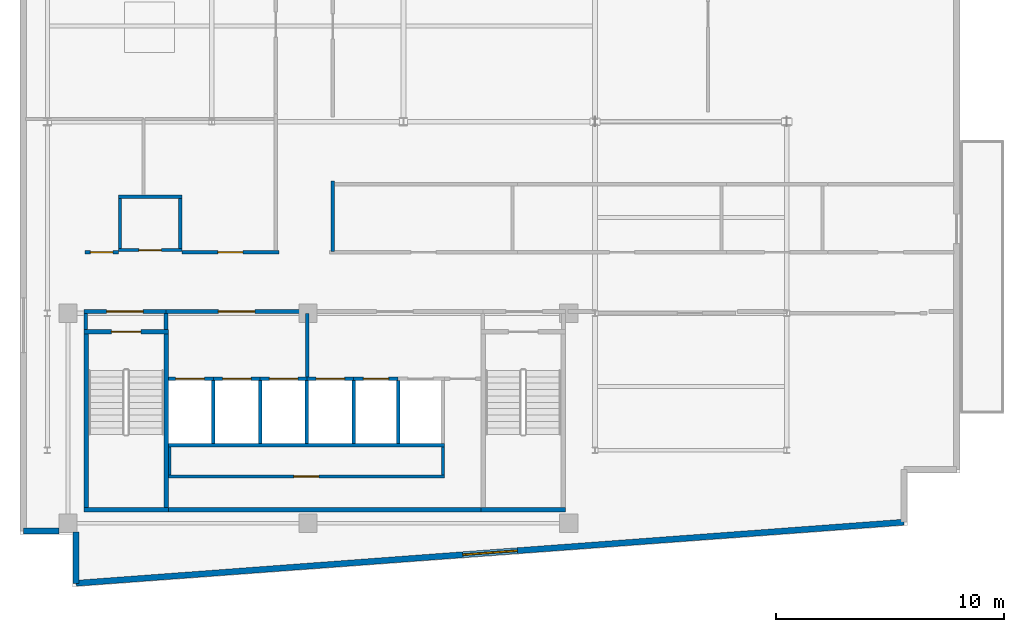
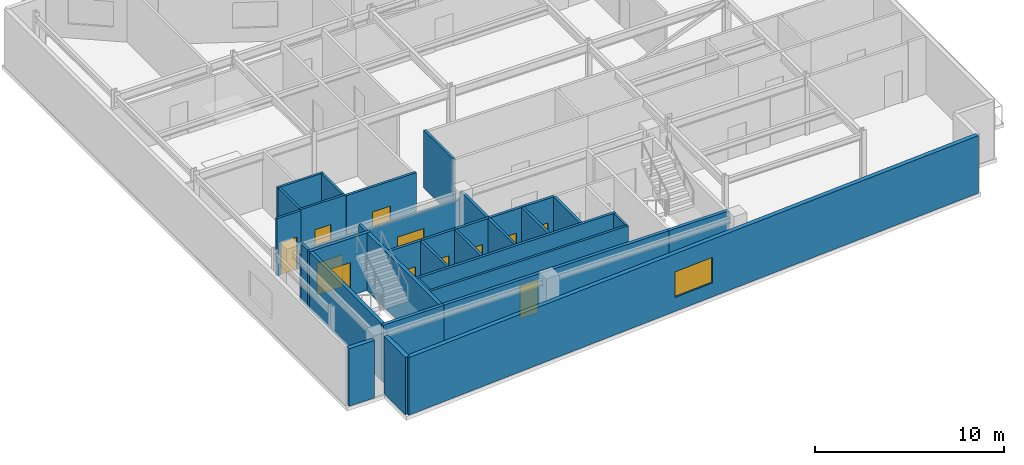
# One storey, part 11 of 16: 35 walls, 12 doors, 1 window, 13 openings.
"""IFC4 building model written with IfcOpenShell, lengths in metres."""

import ifcopenshell
import ifcopenshell.guid

model = None  # the IFC model being written
_history = None  # IfcOwnerHistory: only IFC2X3 demands one
_inside = {}  # id of a spatial element -> (the spatial element, [elements in it])
_under = {}  # id of a project, library or spatial element -> (it, [spatial elements below it])
_declared = {}  # id of a project -> (the project, [libraries it declares])
_typed = {}  # id of a type object -> (the type object, [elements of that type])
_made_of = {}  # id of a material, layer set ... -> (it, [elements and type objects made of it])


def new_model(schema):
    """Start an empty IFC model of exactly this schema.

    Asked for "IFC4X3", IfcOpenShell would pick the latest addendum, in which some entities
    have other attributes; the version numbers below select the first issue.
    IFC2X3 requires an IfcOwnerHistory on every rooted entity: one is made here for all.
    """
    global model, _history
    if schema == "IFC4X3":
        model = ifcopenshell.file(schema_version=(4, 3, 0, 0))
    else:
        model = ifcopenshell.file(schema=schema)
    _inside.clear()
    _under.clear()
    _declared.clear()
    _typed.clear()
    _made_of.clear()
    _history = None
    if model.schema == "IFC2X3":
        org = make("IfcOrganization", Name="unknown")
        user = make(
            "IfcPersonAndOrganization",
            ThePerson=make("IfcPerson", FamilyName="unknown"),
            TheOrganization=org,
        )
        app = make(
            "IfcApplication",
            ApplicationDeveloper=org,
            Version="unknown",
            ApplicationFullName="unknown",
            ApplicationIdentifier="unknown",
        )
        _history = make(
            "IfcOwnerHistory",
            OwningUser=user,
            OwningApplication=app,
            ChangeAction="ADDED",
            CreationDate=0,
        )
    return model


def make(cls, **values):
    """One entity of the class cls with the attributes given. An attribute that is None is left unset."""
    return model.create_entity(
        cls, **{name: value for name, value in values.items() if value is not None}
    )


def rooted(cls, **values):
    """An entity with a GlobalId (a new one), such as an element, a storey or a relation."""
    return make(cls, GlobalId=ifcopenshell.guid.new(), OwnerHistory=_history, **values)


def si_unit(unit_type, name, prefix=None):
    """IfcSIUnit, for example si_unit("LENGTHUNIT", "METRE", prefix="MILLI")."""
    return make("IfcSIUnit", UnitType=unit_type, Prefix=prefix, Name=name)


def assignment(units):
    """IfcUnitAssignment: the units of a project."""
    return None if units is None else make("IfcUnitAssignment", Units=units)


def point(xyz):
    """IfcCartesianPoint."""
    return None if xyz is None else make("IfcCartesianPoint", Coordinates=xyz)


def direction(xyz):
    """IfcDirection."""
    return None if xyz is None else make("IfcDirection", DirectionRatios=xyz)


def frame(location, z_axis=None, x_axis=None):
    """IfcAxis2Placement3D, a coordinate frame: its origin and axes. An axis left out is left unset."""
    return make(
        "IfcAxis2Placement3D",
        Location=point(location),
        Axis=direction(z_axis),
        RefDirection=direction(x_axis),
    )


def frame_2d(location, x_axis=None):
    """IfcAxis2Placement2D, a coordinate frame in the plane: its origin and x axis."""
    return make(
        "IfcAxis2Placement2D", Location=point(location), RefDirection=direction(x_axis)
    )


def origin():
    """The frame at (0, 0, 0) with its axes left unset."""
    return frame((0.0, 0.0, 0.0))


def place(relative_to, where):
    """IfcLocalPlacement: puts the frame where relative to a parent placement (None: the world)."""
    return make(
        "IfcLocalPlacement", PlacementRelTo=relative_to, RelativePlacement=where
    )


def context(
    kind, dimensions, precision=None, world=None, true_north=None, identifier=None
):
    """IfcGeometricRepresentationContext, for example the 3D "Model" context."""
    return make(
        "IfcGeometricRepresentationContext",
        ContextIdentifier=identifier,
        ContextType=kind,
        CoordinateSpaceDimension=dimensions,
        Precision=precision,
        WorldCoordinateSystem=world,
        TrueNorth=true_north,
    )


def subcontext(parent, identifier, kind, view, scale=None):
    """IfcGeometricRepresentationSubContext, for example "Body" below "Model"."""
    return make(
        "IfcGeometricRepresentationSubContext",
        ContextIdentifier=identifier,
        ContextType=kind,
        ParentContext=parent,
        TargetScale=scale,
        TargetView=view,
    )


def project(units=None, contexts=None):
    """IfcProject with its units and contexts."""
    return rooted(
        "IfcProject",
        Name="project",
        RepresentationContexts=contexts,
        UnitsInContext=assignment(units),
    )


def spatial(cls, under=None, at=None, **own):
    """A site, building, storey or space (cls), placed at a placement, below another one or the project."""
    s = rooted(cls, ObjectPlacement=at, **own)
    if under is not None:
        _under.setdefault(under.id(), (under, []))[1].append(s)
    return s


def profile(cls, at=None, kind="AREA", **sizes):
    """A parametric profile (cls). Its sizes go by their IFC names, for example OverallWidth=200.0."""
    return make(cls, ProfileType=kind, Position=at, **sizes)


def rectangle(**sizes):
    """IfcRectangleProfileDef."""
    return profile("IfcRectangleProfileDef", **sizes)


def extrude(swept, where, along, depth):
    """IfcExtrudedAreaSolid: the profile swept, set in the frame where, extruded along a direction by depth."""
    return make(
        "IfcExtrudedAreaSolid",
        SweptArea=swept,
        Position=where,
        ExtrudedDirection=direction(along),
        Depth=depth,
    )


def shape(context_of_items, identifier, shape_type, items):
    """IfcShapeRepresentation: the items that make up one representation, for example the "Body"."""
    return make(
        "IfcShapeRepresentation",
        ContextOfItems=context_of_items,
        RepresentationIdentifier=identifier,
        RepresentationType=shape_type,
        Items=items,
    )


def material(Name=None, Category=None):
    """IfcMaterial."""
    return make("IfcMaterial", Name=Name, Category=Category)


def layer(
    of_material, thickness, ventilated=None, Name=None, Category=None, Priority=None
):
    """IfcMaterialLayer: one layer of a wall or slab, of a material (None: an air gap)."""
    return make(
        "IfcMaterialLayer",
        Material=of_material,
        LayerThickness=thickness,
        IsVentilated=ventilated,
        Name=Name,
        Category=Category,
        Priority=Priority,
    )


def layer_set(layers, Name=None):
    """IfcMaterialLayerSet."""
    return make("IfcMaterialLayerSet", MaterialLayers=layers, LayerSetName=Name)


def made_of(thing, what):
    """Note that an element or type object is made of a material, layer set ...; save() writes the relation."""
    if what is not None:
        _made_of.setdefault(what.id(), (what, []))[1].append(thing)
    return thing


def type_object(cls, material=None, **own):
    """A type object (cls), such as IfcWallType, which elements share."""
    return made_of(rooted(cls, **own), material)


def element(
    cls,
    number,
    at=None,
    inside=None,
    cuts=None,
    type_object=None,
    material=None,
    context=None,
    identifier="Body",
    shape_type=None,
    held_by="IfcProductDefinitionShape",
    body=None,
    shapes=None,
    **own,
):
    """One element of the class cls, such as IfcWall. Its Tag is "e" and its number.

    at: its placement. inside: the storey or other place that contains it. cuts: it is an
    opening in that element (IfcRelVoidsElement). A single representation is given by context,
    identifier, shape_type and body (its items); several are given by shapes. held_by: the class
    of the entity that holds the representations. save() writes the other relations.
    """
    e = rooted(cls, Tag="e%d" % number, ObjectPlacement=at, **own)
    if body is not None:
        shapes = [shape(context, identifier, shape_type, body)]
    if shapes is not None:
        e.Representation = make(held_by, Representations=shapes)
    if inside is not None:
        _inside.setdefault(inside.id(), (inside, []))[1].append(e)
    if cuts is not None:
        rooted(
            "IfcRelVoidsElement", RelatingBuildingElement=cuts, RelatedOpeningElement=e
        )
    if type_object is not None:
        _typed.setdefault(type_object.id(), (type_object, []))[1].append(e)
    return made_of(e, material)


def fill(opening, filler):
    """IfcRelFillsElement: the door or window that sits in an opening."""
    return rooted(
        "IfcRelFillsElement",
        RelatingOpeningElement=opening,
        RelatedBuildingElement=filler,
    )


def aggregate(whole, parts):
    """IfcRelAggregates: a whole, such as a stair, and the parts it consists of."""
    return rooted("IfcRelAggregates", RelatingObject=whole, RelatedObjects=parts)


def save(model, path):
    """Write the relations noted so far, then the file.

    IfcRelAggregates (storeys below a building ...), IfcRelContainedInSpatialStructure (elements
    in a storey), IfcRelDefinesByType, IfcRelAssociatesMaterial and IfcRelDeclares: one each for
    every whole, place, type object, material and project.
    """
    for whole, parts in _under.values():
        aggregate(whole, parts)
    for where, things in _inside.values():
        rooted(
            "IfcRelContainedInSpatialStructure",
            RelatedElements=things,
            RelatingStructure=where,
        )
    for kind, things in _typed.values():
        rooted("IfcRelDefinesByType", RelatedObjects=things, RelatingType=kind)
    for what, things in _made_of.values():
        rooted("IfcRelAssociatesMaterial", RelatedObjects=things, RelatingMaterial=what)
    for by, libraries in _declared.values():
        rooted("IfcRelDeclares", RelatingContext=by, RelatedDefinitions=libraries)
    model.write(path)


model = new_model("IFC4")

# Units and contexts
model_context = context("Model", 3, precision=1e-05, world=origin(), true_north=direction((0.0, 1.0)))
body_context = subcontext(model_context, "Body", "Model", "MODEL_VIEW")
ifc_project = project(units=[si_unit("LENGTHUNIT", "METRE"), si_unit("AREAUNIT", "SQUARE_METRE"), si_unit("VOLUMEUNIT", "CUBIC_METRE"), si_unit("PLANEANGLEUNIT", "RADIAN"), si_unit("MASSUNIT", "GRAM", prefix="KILO")], contexts=[model_context])

# Site, building, storey
site_placement = place(None, origin())
site = spatial("IfcSite", under=ifc_project, at=site_placement, CompositionType="ELEMENT")
building_placement = place(site_placement, origin())
building = spatial("IfcBuilding", under=site, at=building_placement, Name="Varnakote Quay Hospital", CompositionType="ELEMENT")
storey_placement = place(building_placement, frame((0.0, 0.0, 272.35009765625)))
storey = spatial("IfcBuildingStorey", under=building, at=storey_placement, Name="L67", CompositionType="ELEMENT", Elevation=272.35009765625)

# Wall
ifc_material_1 = material(Name="Fire-rated acoustic gypsum stud wall", Category="gypsum")
ifc_layer_1 = layer(ifc_material_1, 0.159912109375)
ifc_layer_set_1 = layer_set([ifc_layer_1], Name="Fire-rated acoustic gypsum stud wall")
wall_type_1 = type_object("IfcWallType", Name="WL-COMP-160", PredefinedType="PARTITIONING", material=ifc_layer_set_1)
wall_1_placement = place(storey_placement, frame((2.8798828125, 11.300048828125, 0.0), z_axis=(0.0, 0.0, 1.0), x_axis=(0.0, 1.0, 0.0)))
element("IfcWall", 1, at=wall_1_placement, inside=storey, type_object=wall_type_1, Name="L67 West Stair Vestibule West Wall", PredefinedType="PARTITIONING", context=body_context, shape_type="SweptSolid", body=[
    extrude(rectangle(XDim=0.699951171875, YDim=0.159912109375, at=frame_2d((0.35009765625, 0.0))), origin(), (0.0, 0.0, 1.0), 3.7099609375),
])

# Wall, opening, door
wall_2_placement = place(storey_placement, frame((2.800048828125, 12.080078125, 0.0), z_axis=(0.0, 0.0, 1.0), x_axis=(1.0, 0.0, 0.0)))
wall_2 = element("IfcWall", 2, at=wall_2_placement, inside=storey, type_object=wall_type_1, Name="L67 West Stair Vestibule Smoke Wall", PredefinedType="PARTITIONING", context=body_context, shape_type="SweptSolid", body=[
    extrude(rectangle(XDim=3.599853515625, YDim=0.159912109375, at=frame_2d((1.7998046875, 0.0))), origin(), (0.0, 0.0, 1.0), 3.156982421875),
])
opening_1_placement = place(wall_2_placement, frame((1.0, 0.0, 0.0)))
opening_1 = element("IfcOpeningElement", 3, at=opening_1_placement, cuts=wall_2, Name="Opening D-ST1L-L67", PredefinedType="OPENING", context=body_context, shape_type="SweptSolid", body=[
    extrude(rectangle(XDim=1.60009765625, YDim=2.050048828125, at=frame_2d((0.800048828125, 1.02490234375))), frame((0.0, 0.08984375, 0.0), z_axis=(0.0, -1.0, 0.0), x_axis=(1.0, 0.0, 0.0)), (0.0, 0.0, 1.0), 0.179931640625),
])
ifc_material_2 = material(Name="Fire-rated double smoke lobby door")
door_type_1 = type_object("IfcDoorType", Name="DR-LOBBY-FD60S-1600x2150", OperationType="NOTDEFINED", PredefinedType="DOOR", material=ifc_material_2)
door_1_placement = place(opening_1_placement, origin())
door_1 = element("IfcDoor", 4, at=door_1_placement, inside=storey, type_object=door_type_1, Name="L67 West Stair Vestibule Smoke Door", OperationType="DOUBLE_DOOR_SINGLE_SWING", OverallHeight=2.050048828125, OverallWidth=1.60009765625, PredefinedType="DOOR", context=body_context, shape_type="SweptSolid", body=[
    extrude(rectangle(XDim=1.60009765625, YDim=2.050048828125, at=frame_2d((0.800048828125, 1.02490234375))), frame((0.0, 0.02490234375, 0.0), z_axis=(0.0, -1.0, 0.0), x_axis=(1.0, 0.0, 0.0)), (0.0, 0.0, 1.0), 0.050048828125),
])
fill(opening_1, door_1)

# Wall
wall_3_placement = place(storey_placement, frame((6.39990234375, 11.300048828125, 0.0), z_axis=(0.0, 0.0, 1.0), x_axis=(0.0, 1.0, 0.0)))
element("IfcWall", 5, at=wall_3_placement, inside=storey, type_object=wall_type_1, Name="L67 Firefighting Lobby West Wall", PredefinedType="PARTITIONING", context=body_context, shape_type="SweptSolid", body=[
    extrude(rectangle(XDim=0.699951171875, YDim=0.159912109375, at=frame_2d((0.35009765625, 0.0))), origin(), (0.0, 0.0, 1.0), 3.7099609375),
])

# Wall, opening, door
wall_4_placement = place(storey_placement, frame((6.39990234375, 12.080078125, 0.0), z_axis=(0.0, 0.0, 1.0), x_axis=(1.0, 0.0, 0.0)))
wall_4 = element("IfcWall", 6, at=wall_4_placement, inside=storey, type_object=wall_type_1, Name="L67 Firefighting Lift Lobby Compartment Wall", PredefinedType="PARTITIONING", context=body_context, shape_type="SweptSolid", body=[
    extrude(rectangle(XDim=6.18017578125, YDim=0.159912109375, at=frame_2d((3.090087890625, 0.0))), origin(), (0.0, 0.0, 1.0), 3.156982421875),
])
opening_2_placement = place(wall_4_placement, frame((2.2900390625, 0.0, 0.0)))
opening_2 = element("IfcOpeningElement", 7, at=opening_2_placement, cuts=wall_4, Name="Opening D-FFL-L67", PredefinedType="OPENING", context=body_context, shape_type="SweptSolid", body=[
    extrude(rectangle(XDim=1.60009765625, YDim=2.050048828125, at=frame_2d((0.800048828125, 1.02490234375))), frame((0.0, 0.08984375, 0.0), z_axis=(0.0, -1.0, 0.0), x_axis=(1.0, 0.0, 0.0)), (0.0, 0.0, 1.0), 0.179931640625),
])
door_2_placement = place(opening_2_placement, origin())
door_2 = element("IfcDoor", 8, at=door_2_placement, inside=storey, type_object=door_type_1, Name="L67 Firefighting Smoke Vestibule Door", OperationType="DOUBLE_DOOR_SINGLE_SWING", OverallHeight=2.050048828125, OverallWidth=1.60009765625, PredefinedType="DOOR", context=body_context, shape_type="SweptSolid", body=[
    extrude(rectangle(XDim=1.60009765625, YDim=2.050048828125, at=frame_2d((0.800048828125, 1.02490234375))), frame((0.0, 0.02490234375, 0.0), z_axis=(0.0, -1.0, 0.0), x_axis=(1.0, 0.0, 0.0)), (0.0, 0.0, 1.0), 0.050048828125),
])
fill(opening_2, door_2)

# Walls
wall_5_placement = place(storey_placement, frame((12.580078125, 9.2099609375, 0.0), z_axis=(0.0, 0.0, 1.0), x_axis=(0.0, 1.0, 0.0)))
element("IfcWall", 9, at=wall_5_placement, inside=storey, type_object=wall_type_1, Name="L67 Firefighting to Service Lobby Wall", PredefinedType="PARTITIONING", context=body_context, shape_type="SweptSolid", body=[
    extrude(rectangle(XDim=2.7900390625, YDim=0.159912109375, at=frame_2d((1.39501953125, 0.0))), origin(), (0.0, 0.0, 1.0), 3.7099609375),
])
ifc_material_3 = material(Name="Concrete N50 (f'c 50 MPa)", Category="concrete")
ifc_layer_2 = layer(ifc_material_3, 0.199951171875)
ifc_layer_set_2 = layer_set([ifc_layer_2], Name="Concrete N50 (f'c 50 MPa)")
wall_type_2 = type_object("IfcWallType", Name="WL-CORE-N50-200", PredefinedType="SHEAR", material=ifc_layer_set_2)
wall_6_placement = place(storey_placement, frame((6.5, 3.39990234375, 0.0), z_axis=(0.0, 0.0, 1.0), x_axis=(1.0, 0.0, 0.0)))
element("IfcWall", 10, at=wall_6_placement, inside=storey, type_object=wall_type_2, Name="L67 Rear Core South Shear Wall", PredefinedType="SHEAR", context=body_context, shape_type="SweptSolid", body=[
    extrude(rectangle(XDim=13.699951171875, YDim=0.199951171875, at=frame_2d((6.85009765625, 0.0))), origin(), (0.0, 0.0, 1.0), 3.7099609375),
])
ifc_material_4 = material(Name="Precast concrete N50 (f'c 50 MPa)", Category="concrete")
ifc_layer_3 = layer(ifc_material_4, 0.260009765625)
ifc_layer_set_3 = layer_set([ifc_layer_3], Name="Precast concrete N50 (f'c 50 MPa)")
wall_type_3 = type_object("IfcWallType", Name="WL-EXT-BRICK-260", PredefinedType="STANDARD", material=ifc_layer_set_3)
wall_7_placement = place(storey_placement, frame((2.4599609375, 2.4150390625, 0.0), z_axis=(0.0, 0.0, 1.0), x_axis=(0.0, -1.0, 0.0)))
element("IfcWall", 11, at=wall_7_placement, inside=storey, type_object=wall_type_3, Name="L67 Brick-Faced Precast Exterior Wall", PredefinedType="STANDARD", context=body_context, shape_type="SweptSolid", body=[
    extrude(rectangle(XDim=2.242919921875, YDim=0.260009765625, at=frame_2d((1.12158203125, 0.0))), origin(), (0.0, 0.0, 1.0), 3.7099609375),
])

# Wall, opening, window
wall_8_placement = place(storey_placement, frame((2.4599609375, 0.172119140625, 0.0), z_axis=(0.0, 0.0, 1.0), x_axis=(0.997289775118, 0.073573802713, 0.0)))
wall_8 = element("IfcWall", 12, at=wall_8_placement, inside=storey, type_object=wall_type_3, Name="L67 Brick-Faced Precast Exterior Wall", PredefinedType="STANDARD", context=body_context, shape_type="SweptSolid", body=[
    extrude(rectangle(XDim=36.378662109375, YDim=0.260009765625, at=frame_2d((18.189453125, 0.0))), origin(), (0.0, 0.0, 1.0), 3.7099609375),
])
opening_3_placement = place(wall_8_placement, frame((16.9892578125, 0.0, 0.89990234375)))
opening_3 = element("IfcOpeningElement", 13, at=opening_3_placement, cuts=wall_8, Name="Opening WN-0270", PredefinedType="OPENING", context=body_context, shape_type="SweptSolid", body=[
    extrude(rectangle(XDim=2.39990234375, YDim=1.64990234375, at=frame_2d((1.199951171875, 0.824951171875))), frame((0.0, 0.139892578125, 0.0), z_axis=(0.0, -1.0, 0.0), x_axis=(1.0, 0.0, 0.0)), (0.0, 0.0, 1.0), 0.280029296875),
])
ifc_material_5 = material(Name="Double-glazed low-E solar glass", Category="glass")
window_type = type_object("IfcWindowType", Name="WIN-CLIN-2400x1650", PartitioningType="SINGLE_PANEL", PredefinedType="WINDOW", material=ifc_material_5)
window_placement = place(opening_3_placement, origin())
window = element("IfcWindow", 14, at=window_placement, inside=storey, type_object=window_type, Name="L67 Solar-Control Clinical Window", OverallHeight=1.64990234375, OverallWidth=2.39990234375, PartitioningType="SINGLE_PANEL", PredefinedType="WINDOW", context=body_context, shape_type="SweptSolid", body=[
    extrude(rectangle(XDim=2.39990234375, YDim=1.64990234375, at=frame_2d((1.199951171875, 0.824951171875))), frame((0.0, 0.030029296875, 0.0), z_axis=(0.0, -1.0, 0.0), x_axis=(1.0, 0.0, 0.0)), (0.0, 0.0, 1.0), 0.06005859375),
])
fill(opening_3, window)

# Walls
wall_9_placement = place(storey_placement, frame((0.159912109375, 2.4599609375, 0.0), z_axis=(0.0, 0.0, 1.0), x_axis=(1.0, 0.0, 0.0)))
element("IfcWall", 15, at=wall_9_placement, inside=storey, type_object=wall_type_3, Name="L67 Brick-Faced Precast Exterior Wall", PredefinedType="STANDARD", context=body_context, shape_type="SweptSolid", body=[
    extrude(rectangle(XDim=1.55517578125, YDim=0.260009765625, at=frame_2d((0.777587890625, 0.0))), origin(), (0.0, 0.0, 1.0), 3.7099609375),
])
ifc_material_6 = material(Name="Concrete N50 (f'c 50 MPa)", Category="concrete")
ifc_layer_4 = layer(ifc_material_6, 0.14990234375)
ifc_layer_set_4 = layer_set([ifc_layer_4], Name="Concrete N50 (f'c 50 MPa)")
wall_type_4 = type_object("IfcWallType", Name="WL-SHAFT-N50-150", PredefinedType="SHEAR", material=ifc_layer_set_4)
for number, where, z_axis, x_axis, name in (
    (16, (8.47509765625, 6.300048828125, 0.0), (0.0, 0.0, 1.0), (0.0, 1.0, 0.0), "L67 LF-FF1 Hoistway Divider Wall"),
    (17, (10.52490234375, 6.300048828125, 0.0), (0.0, 0.0, 1.0), (0.0, 1.0, 0.0), "L67 LF-FF2 Hoistway Divider Wall"),
    (18, (12.574951171875, 6.300048828125, 0.0), (0.0, 0.0, 1.0), (0.0, 1.0, 0.0), "L67 LF-SV1 Hoistway Divider Wall"),
    (19, (14.625, 6.300048828125, 0.0), (0.0, 0.0, 1.0), (0.0, 1.0, 0.0), "L67 LF-SV2 Hoistway Divider Wall"),
    (20, (16.574951171875, 6.300048828125, 0.0), (0.0, 0.0, 1.0), (0.0, 1.0, 0.0), "L67 LF-PH1 Hoistway Divider Wall"),
):
    element("IfcWall", number, at=place(storey_placement, frame(where, z_axis=z_axis, x_axis=x_axis)), inside=storey, type_object=wall_type_4, Name=name, PredefinedType="SHEAR", context=body_context, shape_type="SweptSolid", body=[
        extrude(rectangle(XDim=2.75, YDim=0.14990234375, at=frame_2d((1.375, 0.0))), origin(), (0.0, 0.0, 1.0), 3.7099609375),
    ])
ifc_material_7 = material(Name="Concrete N50 (f'c 50 MPa)", Category="concrete")
ifc_layer_5 = layer(ifc_material_7, 0.159912109375)
ifc_layer_set_5 = layer_set([ifc_layer_5], Name="Concrete N50 (f'c 50 MPa)")
wall_type_5 = type_object("IfcWallType", Name="WL-SHAFT-N50-160", PredefinedType="SHEAR", material=ifc_layer_set_5)
wall_10_placement = place(storey_placement, frame((6.5, 6.219970703125, 0.0), z_axis=(0.0, 0.0, 1.0), x_axis=(1.0, 0.0, 0.0)))
element("IfcWall", 21, at=wall_10_placement, inside=storey, type_object=wall_type_5, Name="L67 REAR Lift Bank Back Shear Wall", PredefinedType="SHEAR", context=body_context, shape_type="SweptSolid", body=[
    extrude(rectangle(XDim=12.110107421875, YDim=0.159912109375, at=frame_2d((6.05517578125, 0.0))), origin(), (0.0, 0.0, 1.0), 3.7099609375),
])

# Wall, opening, door
wall_11_placement = place(storey_placement, frame((6.5, 9.1298828125, 0.0), z_axis=(0.0, 0.0, 1.0), x_axis=(1.0, 0.0, 0.0)))
wall_11 = element("IfcWall", 22, at=wall_11_placement, inside=storey, type_object=wall_type_5, Name="L67 LF-FF1 Hoistway Front Wall", PredefinedType="SHEAR", context=body_context, shape_type="SweptSolid", body=[
    extrude(rectangle(XDim=1.97509765625, YDim=0.159912109375, at=frame_2d((0.987548828125, 0.0))), origin(), (0.0, 0.0, 1.0), 3.7099609375),
])
opening_4_placement = place(wall_11_placement, frame((0.324951171875, 0.0, 0.0)))
opening_4 = element("IfcOpeningElement", 23, at=opening_4_placement, cuts=wall_11, Name="Opening LD-FF1-L67", PredefinedType="OPENING", context=body_context, shape_type="SweptSolid", body=[
    extrude(rectangle(XDim=1.25, YDim=2.14990234375, at=frame_2d((0.625, 1.074951171875))), frame((0.0, 0.08984375, 0.0), z_axis=(0.0, -1.0, 0.0), x_axis=(1.0, 0.0, 0.0)), (0.0, 0.0, 1.0), 0.179931640625),
])
ifc_material_8 = material(Name="Stainless steel lift landing sliding door", Category="steel")
door_type_2 = type_object("IfcDoorType", Name="DR-LIFT-LD-1250x2150", OperationType="NOTDEFINED", PredefinedType="DOOR", material=ifc_material_8)
door_3_placement = place(opening_4_placement, origin())
door_3 = element("IfcDoor", 24, at=door_3_placement, inside=storey, type_object=door_type_2, Name="L67 LF-FF1 Lift Landing Sliding Door", OperationType="SLIDING_TO_LEFT", OverallHeight=2.14990234375, OverallWidth=1.25, PredefinedType="DOOR", context=body_context, shape_type="SweptSolid", body=[
    extrude(rectangle(XDim=1.25, YDim=2.14990234375, at=frame_2d((0.625, 1.074951171875))), frame((0.0, 0.02490234375, 0.0), z_axis=(0.0, -1.0, 0.0), x_axis=(1.0, 0.0, 0.0)), (0.0, 0.0, 1.0), 0.050048828125),
])
fill(opening_4, door_3)

wall_12_placement = place(storey_placement, frame((8.47509765625, 9.1298828125, 0.0), z_axis=(0.0, 0.0, 1.0), x_axis=(1.0, 0.0, 0.0)))
wall_12 = element("IfcWall", 25, at=wall_12_placement, inside=storey, type_object=wall_type_5, Name="L67 LF-FF2 Hoistway Front Wall", PredefinedType="SHEAR", context=body_context, shape_type="SweptSolid", body=[
    extrude(rectangle(XDim=2.0498046875, YDim=0.159912109375, at=frame_2d((1.02490234375, 0.0))), origin(), (0.0, 0.0, 1.0), 3.7099609375),
])
opening_5_placement = place(wall_12_placement, frame((0.39990234375, 0.0, 0.0)))
opening_5 = element("IfcOpeningElement", 26, at=opening_5_placement, cuts=wall_12, Name="Opening LD-FF2-L67", PredefinedType="OPENING", context=body_context, shape_type="SweptSolid", body=[
    extrude(rectangle(XDim=1.25, YDim=2.14990234375, at=frame_2d((0.625, 1.074951171875))), frame((0.0, 0.08984375, 0.0), z_axis=(0.0, -1.0, 0.0), x_axis=(1.0, 0.0, 0.0)), (0.0, 0.0, 1.0), 0.179931640625),
])
door_4_placement = place(opening_5_placement, origin())
door_4 = element("IfcDoor", 27, at=door_4_placement, inside=storey, type_object=door_type_2, Name="L67 LF-FF2 Lift Landing Sliding Door", OperationType="SLIDING_TO_LEFT", OverallHeight=2.14990234375, OverallWidth=1.25, PredefinedType="DOOR", context=body_context, shape_type="SweptSolid", body=[
    extrude(rectangle(XDim=1.25, YDim=2.14990234375, at=frame_2d((0.625, 1.074951171875))), frame((0.0, 0.02490234375, 0.0), z_axis=(0.0, -1.0, 0.0), x_axis=(1.0, 0.0, 0.0)), (0.0, 0.0, 1.0), 0.050048828125),
])
fill(opening_5, door_4)

wall_13_placement = place(storey_placement, frame((10.52490234375, 9.1298828125, 0.0), z_axis=(0.0, 0.0, 1.0), x_axis=(1.0, 0.0, 0.0)))
wall_13 = element("IfcWall", 28, at=wall_13_placement, inside=storey, type_object=wall_type_5, Name="L67 LF-SV1 Hoistway Front Wall", PredefinedType="SHEAR", context=body_context, shape_type="SweptSolid", body=[
    extrude(rectangle(XDim=2.050048828125, YDim=0.159912109375, at=frame_2d((1.02490234375, 0.0))), origin(), (0.0, 0.0, 1.0), 3.7099609375),
])
opening_6_placement = place(wall_13_placement, frame((0.39990234375, 0.0, 0.0)))
opening_6 = element("IfcOpeningElement", 29, at=opening_6_placement, cuts=wall_13, Name="Opening LD-SV1-L67", PredefinedType="OPENING", context=body_context, shape_type="SweptSolid", body=[
    extrude(rectangle(XDim=1.25, YDim=2.14990234375, at=frame_2d((0.625, 1.074951171875))), frame((0.0, 0.08984375, 0.0), z_axis=(0.0, -1.0, 0.0), x_axis=(1.0, 0.0, 0.0)), (0.0, 0.0, 1.0), 0.179931640625),
])
door_5_placement = place(opening_6_placement, origin())
door_5 = element("IfcDoor", 30, at=door_5_placement, inside=storey, type_object=door_type_2, Name="L67 LF-SV1 Lift Landing Sliding Door", OperationType="SLIDING_TO_LEFT", OverallHeight=2.14990234375, OverallWidth=1.25, PredefinedType="DOOR", context=body_context, shape_type="SweptSolid", body=[
    extrude(rectangle(XDim=1.25, YDim=2.14990234375, at=frame_2d((0.625, 1.074951171875))), frame((0.0, 0.02490234375, 0.0), z_axis=(0.0, -1.0, 0.0), x_axis=(1.0, 0.0, 0.0)), (0.0, 0.0, 1.0), 0.050048828125),
])
fill(opening_6, door_5)

wall_14_placement = place(storey_placement, frame((12.574951171875, 9.1298828125, 0.0), z_axis=(0.0, 0.0, 1.0), x_axis=(1.0, 0.0, 0.0)))
wall_14 = element("IfcWall", 31, at=wall_14_placement, inside=storey, type_object=wall_type_5, Name="L67 LF-SV2 Hoistway Front Wall", PredefinedType="SHEAR", context=body_context, shape_type="SweptSolid", body=[
    extrude(rectangle(XDim=2.050048828125, YDim=0.159912109375, at=frame_2d((1.02490234375, 0.0))), origin(), (0.0, 0.0, 1.0), 3.7099609375),
])
opening_7_placement = place(wall_14_placement, frame((0.39990234375, 0.0, 0.0)))
opening_7 = element("IfcOpeningElement", 32, at=opening_7_placement, cuts=wall_14, Name="Opening LD-SV2-L67", PredefinedType="OPENING", context=body_context, shape_type="SweptSolid", body=[
    extrude(rectangle(XDim=1.25, YDim=2.14990234375, at=frame_2d((0.625, 1.074951171875))), frame((0.0, 0.08984375, 0.0), z_axis=(0.0, -1.0, 0.0), x_axis=(1.0, 0.0, 0.0)), (0.0, 0.0, 1.0), 0.179931640625),
])
door_6_placement = place(opening_7_placement, origin())
door_6 = element("IfcDoor", 33, at=door_6_placement, inside=storey, type_object=door_type_2, Name="L67 LF-SV2 Lift Landing Sliding Door", OperationType="SLIDING_TO_LEFT", OverallHeight=2.14990234375, OverallWidth=1.25, PredefinedType="DOOR", context=body_context, shape_type="SweptSolid", body=[
    extrude(rectangle(XDim=1.25, YDim=2.14990234375, at=frame_2d((0.625, 1.074951171875))), frame((0.0, 0.02490234375, 0.0), z_axis=(0.0, -1.0, 0.0), x_axis=(1.0, 0.0, 0.0)), (0.0, 0.0, 1.0), 0.050048828125),
])
fill(opening_7, door_6)

wall_15_placement = place(storey_placement, frame((14.625, 9.1298828125, 0.0), z_axis=(0.0, 0.0, 1.0), x_axis=(1.0, 0.0, 0.0)))
wall_15 = element("IfcWall", 34, at=wall_15_placement, inside=storey, type_object=wall_type_5, Name="L67 LF-PH1 Hoistway Front Wall", PredefinedType="SHEAR", context=body_context, shape_type="SweptSolid", body=[
    extrude(rectangle(XDim=1.949951171875, YDim=0.159912109375, at=frame_2d((0.97509765625, 0.0))), origin(), (0.0, 0.0, 1.0), 3.7099609375),
])
opening_8_placement = place(wall_15_placement, frame((0.425048828125, 0.0, 0.0)))
opening_8 = element("IfcOpeningElement", 35, at=opening_8_placement, cuts=wall_15, Name="Opening LD-PH1-L67", PredefinedType="OPENING", context=body_context, shape_type="SweptSolid", body=[
    extrude(rectangle(XDim=1.10009765625, YDim=2.14990234375, at=frame_2d((0.550048828125, 1.074951171875))), frame((0.0, 0.08984375, 0.0), z_axis=(0.0, -1.0, 0.0), x_axis=(1.0, 0.0, 0.0)), (0.0, 0.0, 1.0), 0.179931640625),
])
ifc_material_9 = material(Name="Brushed bronze lift landing sliding door")
door_type_3 = type_object("IfcDoorType", Name="DR-LIFT-LD-1100x2150", OperationType="NOTDEFINED", PredefinedType="DOOR", material=ifc_material_9)
door_7_placement = place(opening_8_placement, origin())
door_7 = element("IfcDoor", 36, at=door_7_placement, inside=storey, type_object=door_type_3, Name="L67 LF-PH1 Lift Landing Sliding Door", OperationType="SLIDING_TO_LEFT", OverallHeight=2.14990234375, OverallWidth=1.10009765625, PredefinedType="DOOR", context=body_context, shape_type="SweptSolid", body=[
    extrude(rectangle(XDim=1.10009765625, YDim=2.14990234375, at=frame_2d((0.550048828125, 1.074951171875))), frame((0.0, 0.02490234375, 0.0), z_axis=(0.0, -1.0, 0.0), x_axis=(1.0, 0.0, 0.0)), (0.0, 0.0, 1.0), 0.050048828125),
])
fill(opening_8, door_7)

# Walls
ifc_material_10 = material(Name="Concrete N50 (f'c 50 MPa)", Category="concrete")
ifc_layer_6 = layer(ifc_material_10, 0.199951171875)
ifc_layer_set_6 = layer_set([ifc_layer_6], Name="Concrete N50 (f'c 50 MPa)")
wall_type_6 = type_object("IfcWallType", Name="WL-SHAFT-N50-200", PredefinedType="SHEAR", material=ifc_layer_set_6)
wall_16_placement = place(storey_placement, frame((2.800048828125, 3.39990234375, 0.0), z_axis=(0.0, 0.0, 1.0), x_axis=(1.0, 0.0, 0.0)))
element("IfcWall", 37, at=wall_16_placement, inside=storey, type_object=wall_type_6, Name="L67 Stair ST1 South Shaft Wall", PredefinedType="SHEAR", context=body_context, shape_type="SweptSolid", body=[
    extrude(rectangle(XDim=3.699951171875, YDim=0.199951171875, at=frame_2d((1.85009765625, 0.0))), origin(), (0.0, 0.0, 1.0), 3.7099609375),
])
for number, where, z_axis, x_axis, name in (
    (38, (2.89990234375, 3.5, 0.0), (0.0, 0.0, 1.0), (0.0, 1.0, 0.0), "L67 Stair ST1 West Shaft Wall"),
    (39, (6.39990234375, 3.5, 0.0), (0.0, 0.0, 1.0), (0.0, 1.0, 0.0), "L67 Stair ST1 East Shaft Wall"),
):
    element("IfcWall", number, at=place(storey_placement, frame(where, z_axis=z_axis, x_axis=x_axis)), inside=storey, type_object=wall_type_6, Name=name, PredefinedType="SHEAR", context=body_context, shape_type="SweptSolid", body=[
        extrude(rectangle(XDim=7.60009765625, YDim=0.199951171875, at=frame_2d((3.800048828125, 0.0))), origin(), (0.0, 0.0, 1.0), 3.7099609375),
    ])

# Wall, opening, door
wall_17_placement = place(storey_placement, frame((2.800048828125, 11.199951171875, 0.0), z_axis=(0.0, 0.0, 1.0), x_axis=(1.0, 0.0, 0.0)))
wall_17 = element("IfcWall", 40, at=wall_17_placement, inside=storey, type_object=wall_type_6, Name="L67 Stair ST1 Exit Wall", PredefinedType="SHEAR", context=body_context, shape_type="SweptSolid", body=[
    extrude(rectangle(XDim=3.699951171875, YDim=0.199951171875, at=frame_2d((1.85009765625, 0.0))), origin(), (0.0, 0.0, 1.0), 3.7099609375),
])
opening_9_placement = place(wall_17_placement, frame((1.199951171875, 0.0, 0.0)))
opening_9 = element("IfcOpeningElement", 41, at=opening_9_placement, cuts=wall_17, Name="Opening D-ST1-L67", PredefinedType="OPENING", context=body_context, shape_type="SweptSolid", body=[
    extrude(rectangle(XDim=1.300048828125, YDim=2.14990234375, at=frame_2d((0.64990234375, 1.074951171875))), frame((0.0, 0.10986328125, 0.0), z_axis=(0.0, -1.0, 0.0), x_axis=(1.0, 0.0, 0.0)), (0.0, 0.0, 1.0), 0.219970703125),
])
ifc_material_11 = material(Name="Fire-rated ceramic-glazed timber exit door", Category="wood")
door_type_4 = type_object("IfcDoorType", Name="DR-STAIR-FD60S-1300x2150", OperationType="NOTDEFINED", PredefinedType="DOOR", material=ifc_material_11)
door_8_placement = place(opening_9_placement, origin())
door_8 = element("IfcDoor", 42, at=door_8_placement, inside=storey, type_object=door_type_4, Name="L67 Stair ST1 Fire Exit Door", OperationType="SINGLE_SWING_LEFT", OverallHeight=2.14990234375, OverallWidth=1.300048828125, PredefinedType="DOOR", context=body_context, shape_type="SweptSolid", body=[
    extrude(rectangle(XDim=1.300048828125, YDim=2.14990234375, at=frame_2d((0.64990234375, 1.074951171875))), frame((0.0, 0.02490234375, 0.0), z_axis=(0.0, -1.0, 0.0), x_axis=(1.0, 0.0, 0.0)), (0.0, 0.0, 1.0), 0.050048828125),
])
fill(opening_9, door_8)

# Walls
wall_18_placement = place(storey_placement, frame((20.199951171875, 3.39990234375, 0.0), z_axis=(0.0, 0.0, 1.0), x_axis=(1.0, 0.0, 0.0)))
element("IfcWall", 43, at=wall_18_placement, inside=storey, type_object=wall_type_6, Name="L67 Stair ST2 South Shaft Wall", PredefinedType="SHEAR", context=body_context, shape_type="SweptSolid", body=[
    extrude(rectangle(XDim=3.699951171875, YDim=0.199951171875, at=frame_2d((1.85009765625, 0.0))), origin(), (0.0, 0.0, 1.0), 3.7099609375),
])
ifc_material_12 = material(Name="Smoke-proof clinical partition", Category="gypsum")
ifc_layer_7 = layer(ifc_material_12, 0.1201171875)
ifc_layer_set_7 = layer_set([ifc_layer_7], Name="Smoke-proof clinical partition")
wall_type_7 = type_object("IfcWallType", Name="WL-SMOKE-120", PredefinedType="PARTITIONING", material=ifc_layer_set_7)
for number, where, z_axis, x_axis, name in (
    (44, (6.56005859375, 4.919921875, 0.0), (0.0, 0.0, 1.0), (0.0, 1.0, 0.0), "L67 Core Service Strip West Wall"),
    (45, (18.5400390625, 4.919921875, 0.0), (0.0, 0.0, 1.0), (0.0, 1.0, 0.0), "L67 Core Service Strip East Wall"),
):
    element("IfcWall", number, at=place(storey_placement, frame(where, z_axis=z_axis, x_axis=x_axis)), inside=storey, type_object=wall_type_7, Name=name, PredefinedType="PARTITIONING", context=body_context, shape_type="SweptSolid", body=[
        extrude(rectangle(XDim=1.219970703125, YDim=0.1201171875, at=frame_2d((0.60986328125, 0.0))), origin(), (0.0, 0.0, 1.0), 3.7099609375),
    ])

# Wall, opening, door
ifc_material_13 = material(Name="Fire-rated clinical gypsum partition", Category="gypsum")
ifc_layer_8 = layer(ifc_material_13, 0.139892578125)
ifc_layer_set_8 = layer_set([ifc_layer_8], Name="Fire-rated clinical gypsum partition")
wall_type_8 = type_object("IfcWallType", Name="WL-WARD-140", PredefinedType="PARTITIONING", material=ifc_layer_set_8)
wall_19_placement = place(storey_placement, frame((6.5, 4.85009765625, 0.0), z_axis=(0.0, 0.0, 1.0), x_axis=(1.0, 0.0, 0.0)))
wall_19 = element("IfcWall", 46, at=wall_19_placement, inside=storey, type_object=wall_type_8, Name="L67 Core Clean Linen Store South Wall", PredefinedType="PARTITIONING", context=body_context, shape_type="SweptSolid", body=[
    extrude(rectangle(XDim=12.10009765625, YDim=0.139892578125, at=frame_2d((6.050048828125, 0.0))), origin(), (0.0, 0.0, 1.0), 3.7099609375),
])
opening_10_placement = place(wall_19_placement, frame((5.5, 0.0, 0.0)))
opening_10 = element("IfcOpeningElement", 47, at=opening_10_placement, cuts=wall_19, Name="Opening D-L67-CR01", PredefinedType="OPENING", context=body_context, shape_type="SweptSolid", body=[
    extrude(rectangle(XDim=1.10009765625, YDim=2.10009765625, at=frame_2d((0.550048828125, 1.050048828125))), frame((0.0, 0.079833984375, 0.0), z_axis=(0.0, -1.0, 0.0), x_axis=(1.0, 0.0, 0.0)), (0.0, 0.0, 1.0), 0.159912109375),
])
ifc_material_14 = material(Name="Acoustic timber clinical consult door", Category="wood")
door_type_5 = type_object("IfcDoorType", Name="DR-CLIN-FD30S-1100x2100", OperationType="NOTDEFINED", PredefinedType="DOOR", material=ifc_material_14)
door_9_placement = place(opening_10_placement, origin())
door_9 = element("IfcDoor", 48, at=door_9_placement, inside=storey, type_object=door_type_5, Name="L67 Core Clean Linen Store Door", OperationType="SINGLE_SWING_LEFT", OverallHeight=2.10009765625, OverallWidth=1.10009765625, PredefinedType="DOOR", context=body_context, shape_type="SweptSolid", body=[
    extrude(rectangle(XDim=1.10009765625, YDim=2.10009765625, at=frame_2d((0.550048828125, 1.050048828125))), frame((0.0, 0.02490234375, 0.0), z_axis=(0.0, -1.0, 0.0), x_axis=(1.0, 0.0, 0.0)), (0.0, 0.0, 1.0), 0.050048828125),
])
fill(opening_10, door_9)

wall_20_placement = place(storey_placement, frame((4.31005859375, 14.77001953125, 0.0), z_axis=(0.0, 0.0, 1.0), x_axis=(1.0, 0.0, 0.0)))
wall_20 = element("IfcWall", 49, at=wall_20_placement, inside=storey, type_object=wall_type_8, Name="L67 Floor Unisex Accessible WC S Wall", PredefinedType="PARTITIONING", context=body_context, shape_type="SweptSolid", body=[
    extrude(rectangle(XDim=2.780029296875, YDim=0.139892578125, at=frame_2d((1.39013671875, 0.0))), origin(), (0.0, 0.0, 1.0), 3.7099609375),
])
opening_11_placement = place(wall_20_placement, frame((0.89990234375, 0.0, 0.0)))
opening_11 = element("IfcOpeningElement", 50, at=opening_11_placement, cuts=wall_20, Name="Opening D-L67-EW01", PredefinedType="OPENING", context=body_context, shape_type="SweptSolid", body=[
    extrude(rectangle(XDim=0.97998046875, YDim=2.10009765625, at=frame_2d((0.489990234375, 1.050048828125))), frame((0.0, 0.079833984375, 0.0), z_axis=(0.0, -1.0, 0.0), x_axis=(1.0, 0.0, 0.0)), (0.0, 0.0, 1.0), 0.159912109375),
])
ifc_material_15 = material(Name="Accessible sanitary compartment door")
door_type_6 = type_object("IfcDoorType", Name="DR-WC-980x2100", OperationType="NOTDEFINED", PredefinedType="DOOR", material=ifc_material_15)
door_10_placement = place(opening_11_placement, origin())
door_10 = element("IfcDoor", 51, at=door_10_placement, inside=storey, type_object=door_type_6, Name="L67 Floor Unisex Accessible WC Door", OperationType="SINGLE_SWING_LEFT", OverallHeight=2.10009765625, OverallWidth=0.97998046875, PredefinedType="DOOR", context=body_context, shape_type="SweptSolid", body=[
    extrude(rectangle(XDim=0.97998046875, YDim=2.10009765625, at=frame_2d((0.489990234375, 1.050048828125))), frame((0.0, 0.02490234375, 0.0), z_axis=(0.0, -1.0, 0.0), x_axis=(1.0, 0.0, 0.0)), (0.0, 0.0, 1.0), 0.050048828125),
])
fill(opening_11, door_10)

# Walls
wall_21_placement = place(storey_placement, frame((4.31005859375, 17.110107421875, 0.0), z_axis=(0.0, 0.0, 1.0), x_axis=(1.0, 0.0, 0.0)))
element("IfcWall", 52, at=wall_21_placement, inside=storey, type_object=wall_type_8, Name="L67 Floor Unisex Accessible WC N Wall", PredefinedType="PARTITIONING", context=body_context, shape_type="SweptSolid", body=[
    extrude(rectangle(XDim=2.780029296875, YDim=0.139892578125, at=frame_2d((1.39013671875, 0.0))), origin(), (0.0, 0.0, 1.0), 3.7099609375),
])
for number, where, z_axis, x_axis, name in (
    (53, (4.3798828125, 14.840087890625, 0.0), (0.0, 0.0, 1.0), (0.0, 1.0, 0.0), "L67 Floor Unisex Accessible WC W Wall"),
    (54, (7.02001953125, 14.840087890625, 0.0), (0.0, 0.0, 1.0), (0.0, 1.0, 0.0), "L67 Floor Unisex Accessible WC E Wall"),
):
    element("IfcWall", number, at=place(storey_placement, frame(where, z_axis=z_axis, x_axis=x_axis)), inside=storey, type_object=wall_type_8, Name=name, PredefinedType="PARTITIONING", context=body_context, shape_type="SweptSolid", body=[
        extrude(rectangle(XDim=2.199951171875, YDim=0.139892578125, at=frame_2d((1.10009765625, 0.0))), origin(), (0.0, 0.0, 1.0), 3.7099609375),
    ])

# Wall, opening, door
ifc_material_16 = material(Name="Fire-rated clinical gypsum partition", Category="gypsum")
ifc_layer_9 = layer(ifc_material_16, 0.14990234375)
ifc_layer_set_9 = layer_set([ifc_layer_9], Name="Fire-rated clinical gypsum partition")
wall_type_9 = type_object("IfcWallType", Name="WL-WARD-150", PredefinedType="PARTITIONING", material=ifc_layer_set_9)
wall_22_placement = place(storey_placement, frame((4.30810546875, 14.679931640625, 0.0), z_axis=(0.0, 0.0, 1.0), x_axis=(-1.0, 0.0, 0.0)))
wall_22 = element("IfcWall", 55, at=wall_22_placement, inside=storey, type_object=wall_type_9, Name="L67 Clinical Interior Partition", PredefinedType="PARTITIONING", context=body_context, shape_type="SweptSolid", body=[
    extrude(rectangle(XDim=1.4580078125, YDim=0.14990234375, at=frame_2d((0.72900390625, 0.0))), origin(), (0.0, 0.0, 1.0), 3.7099609375),
])
opening_12_placement = place(wall_22_placement, frame((0.239013671875, 0.0, 0.0)))
opening_12 = element("IfcOpeningElement", 56, at=opening_12_placement, cuts=wall_22, Name="Opening D-L67-MD01", PredefinedType="OPENING", context=body_context, shape_type="SweptSolid", body=[
    extrude(rectangle(XDim=0.97998046875, YDim=2.10009765625, at=frame_2d((0.489990234375, 1.050048828125))), frame((0.0, 0.0849609375, 0.0), z_axis=(0.0, -1.0, 0.0), x_axis=(1.0, 0.0, 0.0)), (0.0, 0.0, 1.0), 0.169921875),
])
door_11_placement = place(opening_12_placement, origin())
door_11 = element("IfcDoor", 57, at=door_11_placement, inside=storey, type_object=door_type_6, Name="L67 Surgical Fellowship Teaching Room Door", OperationType="SINGLE_SWING_RIGHT", OverallHeight=2.10009765625, OverallWidth=0.97998046875, PredefinedType="DOOR", context=body_context, shape_type="SweptSolid", body=[
    extrude(rectangle(XDim=0.97998046875, YDim=2.10009765625, at=frame_2d((0.489990234375, 1.050048828125))), frame((0.0, 0.02490234375, 0.0), z_axis=(0.0, -1.0, 0.0), x_axis=(1.0, 0.0, 0.0)), (0.0, 0.0, 1.0), 0.050048828125),
])
fill(opening_12, door_11)

wall_23_placement = place(storey_placement, frame((11.345947265625, 14.679931640625, 0.0), z_axis=(0.0, 0.0, 1.0), x_axis=(-1.0, 0.0, 0.0)))
wall_23 = element("IfcWall", 58, at=wall_23_placement, inside=storey, type_object=wall_type_9, Name="L67 Clinical Interior Partition", PredefinedType="PARTITIONING", context=body_context, shape_type="SweptSolid", body=[
    extrude(rectangle(XDim=4.25390625, YDim=0.14990234375, at=frame_2d((2.126953125, 0.0))), origin(), (0.0, 0.0, 1.0), 3.7099609375),
])
opening_13_placement = place(wall_23_placement, frame((1.576904296875, 0.0, 0.0)))
opening_13 = element("IfcOpeningElement", 59, at=opening_13_placement, cuts=wall_23, Name="Opening D-L67-MD02", PredefinedType="OPENING", context=body_context, shape_type="SweptSolid", body=[
    extrude(rectangle(XDim=1.10009765625, YDim=2.10009765625, at=frame_2d((0.550048828125, 1.050048828125))), frame((0.0, 0.0849609375, 0.0), z_axis=(0.0, -1.0, 0.0), x_axis=(1.0, 0.0, 0.0)), (0.0, 0.0, 1.0), 0.169921875),
])
door_12_placement = place(opening_13_placement, origin())
door_12 = element("IfcDoor", 60, at=door_12_placement, inside=storey, type_object=door_type_5, Name="L67 Craniofacial Procedure Treatment Suite Door", OperationType="SINGLE_SWING_LEFT", OverallHeight=2.10009765625, OverallWidth=1.10009765625, PredefinedType="DOOR", context=body_context, shape_type="SweptSolid", body=[
    extrude(rectangle(XDim=1.10009765625, YDim=2.10009765625, at=frame_2d((0.550048828125, 1.050048828125))), frame((0.0, 0.02490234375, 0.0), z_axis=(0.0, -1.0, 0.0), x_axis=(1.0, 0.0, 0.0)), (0.0, 0.0, 1.0), 0.050048828125),
])
fill(opening_13, door_12)

# Wall
wall_24_placement = place(storey_placement, frame((13.699951171875, 14.699951171875, 0.0), z_axis=(0.0, 0.0, 1.0), x_axis=(0.0, 1.0, 0.0)))
element("IfcWall", 61, at=wall_24_placement, inside=storey, type_object=wall_type_9, Name="L67 Clinical Interior Partition", PredefinedType="PARTITIONING", context=body_context, shape_type="SweptSolid", body=[
    extrude(rectangle(XDim=3.095947265625, YDim=0.14990234375, at=frame_2d((1.5478515625, 0.0))), origin(), (0.0, 0.0, 1.0), 3.7099609375),
])

save(model, "model.ifc")
